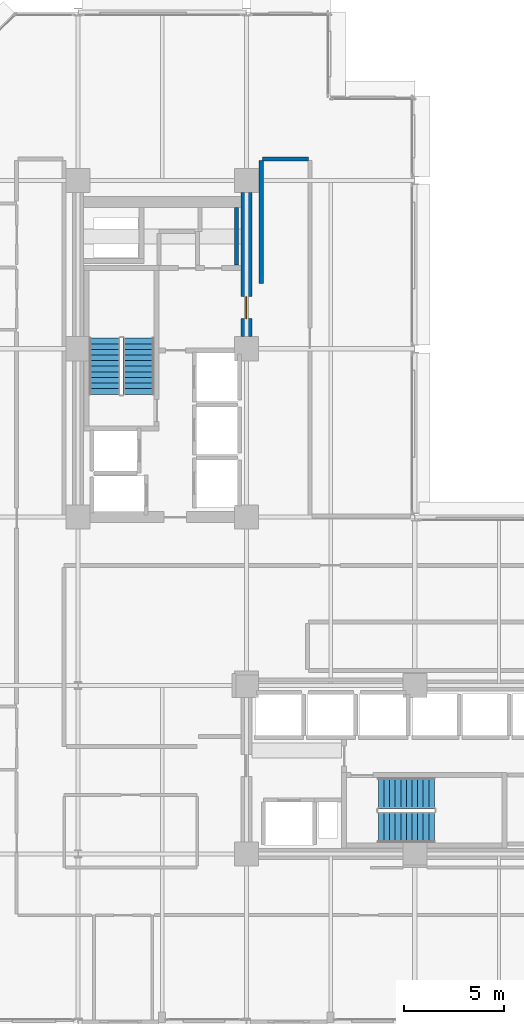
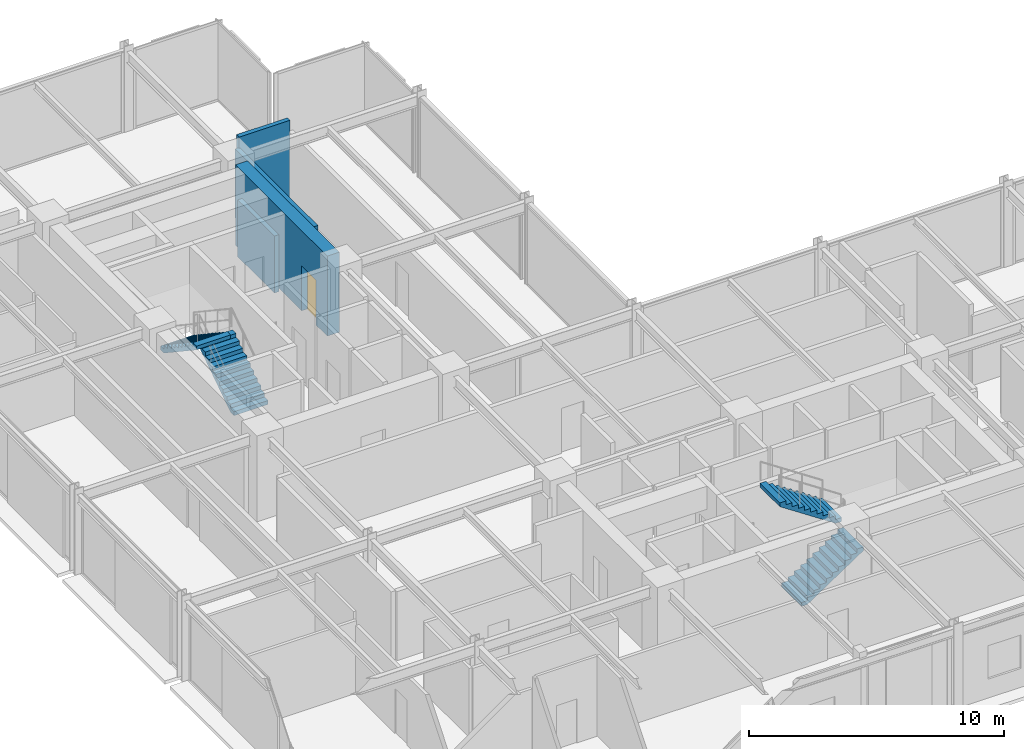
# One storey, part 35 of 39: 4 stair flights, 4 walls, 1 door, 1 opening, 2 elements without a shape of their own.
"""IFC4 building model written with IfcOpenShell, lengths in metres."""

import ifcopenshell
import ifcopenshell.guid

model = None  # the IFC model being written
_history = None  # IfcOwnerHistory: only IFC2X3 demands one
_inside = {}  # id of a spatial element -> (the spatial element, [elements in it])
_under = {}  # id of a project, library or spatial element -> (it, [spatial elements below it])
_declared = {}  # id of a project -> (the project, [libraries it declares])
_typed = {}  # id of a type object -> (the type object, [elements of that type])
_made_of = {}  # id of a material, layer set ... -> (it, [elements and type objects made of it])


def new_model(schema):
    """Start an empty IFC model of exactly this schema.

    Asked for "IFC4X3", IfcOpenShell would pick the latest addendum, in which some entities
    have other attributes; the version numbers below select the first issue.
    IFC2X3 requires an IfcOwnerHistory on every rooted entity: one is made here for all.
    """
    global model, _history
    if schema == "IFC4X3":
        model = ifcopenshell.file(schema_version=(4, 3, 0, 0))
    else:
        model = ifcopenshell.file(schema=schema)
    _inside.clear()
    _under.clear()
    _declared.clear()
    _typed.clear()
    _made_of.clear()
    _history = None
    if model.schema == "IFC2X3":
        org = make("IfcOrganization", Name="unknown")
        user = make(
            "IfcPersonAndOrganization",
            ThePerson=make("IfcPerson", FamilyName="unknown"),
            TheOrganization=org,
        )
        app = make(
            "IfcApplication",
            ApplicationDeveloper=org,
            Version="unknown",
            ApplicationFullName="unknown",
            ApplicationIdentifier="unknown",
        )
        _history = make(
            "IfcOwnerHistory",
            OwningUser=user,
            OwningApplication=app,
            ChangeAction="ADDED",
            CreationDate=0,
        )
    return model


def make(cls, **values):
    """One entity of the class cls with the attributes given. An attribute that is None is left unset."""
    return model.create_entity(
        cls, **{name: value for name, value in values.items() if value is not None}
    )


def rooted(cls, **values):
    """An entity with a GlobalId (a new one), such as an element, a storey or a relation."""
    return make(cls, GlobalId=ifcopenshell.guid.new(), OwnerHistory=_history, **values)


def si_unit(unit_type, name, prefix=None):
    """IfcSIUnit, for example si_unit("LENGTHUNIT", "METRE", prefix="MILLI")."""
    return make("IfcSIUnit", UnitType=unit_type, Prefix=prefix, Name=name)


def assignment(units):
    """IfcUnitAssignment: the units of a project."""
    return None if units is None else make("IfcUnitAssignment", Units=units)


def point(xyz):
    """IfcCartesianPoint."""
    return None if xyz is None else make("IfcCartesianPoint", Coordinates=xyz)


def direction(xyz):
    """IfcDirection."""
    return None if xyz is None else make("IfcDirection", DirectionRatios=xyz)


def frame(location, z_axis=None, x_axis=None):
    """IfcAxis2Placement3D, a coordinate frame: its origin and axes. An axis left out is left unset."""
    return make(
        "IfcAxis2Placement3D",
        Location=point(location),
        Axis=direction(z_axis),
        RefDirection=direction(x_axis),
    )


def frame_2d(location, x_axis=None):
    """IfcAxis2Placement2D, a coordinate frame in the plane: its origin and x axis."""
    return make(
        "IfcAxis2Placement2D", Location=point(location), RefDirection=direction(x_axis)
    )


def origin():
    """The frame at (0, 0, 0) with its axes left unset."""
    return frame((0.0, 0.0, 0.0))


def place(relative_to, where):
    """IfcLocalPlacement: puts the frame where relative to a parent placement (None: the world)."""
    return make(
        "IfcLocalPlacement", PlacementRelTo=relative_to, RelativePlacement=where
    )


def context(
    kind, dimensions, precision=None, world=None, true_north=None, identifier=None
):
    """IfcGeometricRepresentationContext, for example the 3D "Model" context."""
    return make(
        "IfcGeometricRepresentationContext",
        ContextIdentifier=identifier,
        ContextType=kind,
        CoordinateSpaceDimension=dimensions,
        Precision=precision,
        WorldCoordinateSystem=world,
        TrueNorth=true_north,
    )


def subcontext(parent, identifier, kind, view, scale=None):
    """IfcGeometricRepresentationSubContext, for example "Body" below "Model"."""
    return make(
        "IfcGeometricRepresentationSubContext",
        ContextIdentifier=identifier,
        ContextType=kind,
        ParentContext=parent,
        TargetScale=scale,
        TargetView=view,
    )


def project(units=None, contexts=None):
    """IfcProject with its units and contexts."""
    return rooted(
        "IfcProject",
        Name="project",
        RepresentationContexts=contexts,
        UnitsInContext=assignment(units),
    )


def spatial(cls, under=None, at=None, **own):
    """A site, building, storey or space (cls), placed at a placement, below another one or the project."""
    s = rooted(cls, ObjectPlacement=at, **own)
    if under is not None:
        _under.setdefault(under.id(), (under, []))[1].append(s)
    return s


def polyline(points):
    """IfcPolyline through the points."""
    return make("IfcPolyline", Points=[point(p) for p in points])


def profile(cls, at=None, kind="AREA", **sizes):
    """A parametric profile (cls). Its sizes go by their IFC names, for example OverallWidth=200.0."""
    return make(cls, ProfileType=kind, Position=at, **sizes)


def rectangle(**sizes):
    """IfcRectangleProfileDef."""
    return profile("IfcRectangleProfileDef", **sizes)


def outline(outer, holes=None, kind="AREA"):
    """IfcArbitraryClosedProfileDef: a profile drawn as a closed curve; with holes, ...WithVoids."""
    if holes is None:
        return make("IfcArbitraryClosedProfileDef", ProfileType=kind, OuterCurve=outer)
    return make(
        "IfcArbitraryProfileDefWithVoids",
        ProfileType=kind,
        OuterCurve=outer,
        InnerCurves=holes,
    )


def extrude(swept, where, along, depth):
    """IfcExtrudedAreaSolid: the profile swept, set in the frame where, extruded along a direction by depth."""
    return make(
        "IfcExtrudedAreaSolid",
        SweptArea=swept,
        Position=where,
        ExtrudedDirection=direction(along),
        Depth=depth,
    )


def shape(context_of_items, identifier, shape_type, items):
    """IfcShapeRepresentation: the items that make up one representation, for example the "Body"."""
    return make(
        "IfcShapeRepresentation",
        ContextOfItems=context_of_items,
        RepresentationIdentifier=identifier,
        RepresentationType=shape_type,
        Items=items,
    )


def material(Name=None, Category=None):
    """IfcMaterial."""
    return make("IfcMaterial", Name=Name, Category=Category)


def layer(
    of_material, thickness, ventilated=None, Name=None, Category=None, Priority=None
):
    """IfcMaterialLayer: one layer of a wall or slab, of a material (None: an air gap)."""
    return make(
        "IfcMaterialLayer",
        Material=of_material,
        LayerThickness=thickness,
        IsVentilated=ventilated,
        Name=Name,
        Category=Category,
        Priority=Priority,
    )


def layer_set(layers, Name=None):
    """IfcMaterialLayerSet."""
    return make("IfcMaterialLayerSet", MaterialLayers=layers, LayerSetName=Name)


def made_of(thing, what):
    """Note that an element or type object is made of a material, layer set ...; save() writes the relation."""
    if what is not None:
        _made_of.setdefault(what.id(), (what, []))[1].append(thing)
    return thing


def type_object(cls, material=None, **own):
    """A type object (cls), such as IfcWallType, which elements share."""
    return made_of(rooted(cls, **own), material)


def element(
    cls,
    number,
    at=None,
    inside=None,
    cuts=None,
    type_object=None,
    material=None,
    context=None,
    identifier="Body",
    shape_type=None,
    held_by="IfcProductDefinitionShape",
    body=None,
    shapes=None,
    **own,
):
    """One element of the class cls, such as IfcWall. Its Tag is "e" and its number.

    at: its placement. inside: the storey or other place that contains it. cuts: it is an
    opening in that element (IfcRelVoidsElement). A single representation is given by context,
    identifier, shape_type and body (its items); several are given by shapes. held_by: the class
    of the entity that holds the representations. save() writes the other relations.
    """
    e = rooted(cls, Tag="e%d" % number, ObjectPlacement=at, **own)
    if body is not None:
        shapes = [shape(context, identifier, shape_type, body)]
    if shapes is not None:
        e.Representation = make(held_by, Representations=shapes)
    if inside is not None:
        _inside.setdefault(inside.id(), (inside, []))[1].append(e)
    if cuts is not None:
        rooted(
            "IfcRelVoidsElement", RelatingBuildingElement=cuts, RelatedOpeningElement=e
        )
    if type_object is not None:
        _typed.setdefault(type_object.id(), (type_object, []))[1].append(e)
    return made_of(e, material)


def fill(opening, filler):
    """IfcRelFillsElement: the door or window that sits in an opening."""
    return rooted(
        "IfcRelFillsElement",
        RelatingOpeningElement=opening,
        RelatedBuildingElement=filler,
    )


def aggregate(whole, parts):
    """IfcRelAggregates: a whole, such as a stair, and the parts it consists of."""
    return rooted("IfcRelAggregates", RelatingObject=whole, RelatedObjects=parts)


def save(model, path):
    """Write the relations noted so far, then the file.

    IfcRelAggregates (storeys below a building ...), IfcRelContainedInSpatialStructure (elements
    in a storey), IfcRelDefinesByType, IfcRelAssociatesMaterial and IfcRelDeclares: one each for
    every whole, place, type object, material and project.
    """
    for whole, parts in _under.values():
        aggregate(whole, parts)
    for where, things in _inside.values():
        rooted(
            "IfcRelContainedInSpatialStructure",
            RelatedElements=things,
            RelatingStructure=where,
        )
    for kind, things in _typed.values():
        rooted("IfcRelDefinesByType", RelatedObjects=things, RelatingType=kind)
    for what, things in _made_of.values():
        rooted("IfcRelAssociatesMaterial", RelatedObjects=things, RelatingMaterial=what)
    for by, libraries in _declared.values():
        rooted("IfcRelDeclares", RelatingContext=by, RelatedDefinitions=libraries)
    model.write(path)


model = new_model("IFC4")

# Units and contexts
model_context = context("Model", 3, precision=1e-05, world=origin(), true_north=direction((0.0, 1.0)))
body_context = subcontext(model_context, "Body", "Model", "MODEL_VIEW")
ifc_project = project(units=[si_unit("LENGTHUNIT", "METRE"), si_unit("AREAUNIT", "SQUARE_METRE"), si_unit("VOLUMEUNIT", "CUBIC_METRE"), si_unit("PLANEANGLEUNIT", "RADIAN"), si_unit("MASSUNIT", "GRAM", prefix="KILO")], contexts=[model_context])

# Site, building, storey
site_placement = place(None, origin())
site = spatial("IfcSite", under=ifc_project, at=site_placement, CompositionType="ELEMENT")
building_placement = place(site_placement, origin())
building = spatial("IfcBuilding", under=site, at=building_placement, Name="Nerrivon Quay Data Exchange", CompositionType="ELEMENT")
storey_placement = place(building_placement, frame((0.0, 0.0, 104.89990234375)))
storey = spatial("IfcBuildingStorey", under=building, at=storey_placement, Name="L24", CompositionType="ELEMENT", Elevation=104.89990234375)

# Wall, opening, door
ifc_material_1 = material(Name="Concrete S65 (65 MPa)", Category="concrete")
ifc_layer_1 = layer(ifc_material_1, 0.550048828125)
ifc_layer_set_1 = layer_set([ifc_layer_1], Name="Concrete S65 (65 MPa)")
wall_type_1 = type_object("IfcWallType", Name="WALL-CW-700", PredefinedType="SHEAR", material=ifc_layer_set_1)
wall_1_placement = place(storey_placement, frame((16.800048828125, 34.199951171875, 0.0), z_axis=(0.0, 0.0, 1.0), x_axis=(0.0, 1.0, 0.0)))
wall_1 = element("IfcWall", 1, at=wall_1_placement, inside=storey, type_object=wall_type_1, Name="L24 West Split-Core Shear Wall WCW-E1", PredefinedType="SHEAR", context=body_context, shape_type="SweptSolid", body=[
    extrude(rectangle(XDim=7.199951171875, YDim=0.550048828125, at=frame_2d((3.60009765625, 0.0))), origin(), (0.0, 0.0, 1.0), 3.8251953125),
])
opening_placement = place(wall_1_placement, frame((0.89990234375, 0.0, 0.0)))
opening = element("IfcOpeningElement", 2, at=opening_placement, cuts=wall_1, Name="Opening FD-120", PredefinedType="OPENING", context=body_context, shape_type="SweptSolid", body=[
    extrude(rectangle(XDim=1.10009765625, YDim=2.14990234375, at=frame_2d((0.550048828125, 1.074951171875))), frame((0.0, 0.284912109375, 0.0), z_axis=(0.0, -1.0, 0.0), x_axis=(1.0, 0.0, 0.0)), (0.0, 0.0, 1.0), 0.570068359375),
])
ifc_material_2 = material(Name="Powder-coated galvanized steel sheet", Category="steel")
door_type = type_object("IfcDoorType", Name="DR-FD120-1100", OperationType="NOTDEFINED", PredefinedType="DOOR", material=ifc_material_2)
door_placement = place(opening_placement, origin())
door = element("IfcDoor", 3, at=door_placement, inside=storey, type_object=door_type, Name="L24 West Core Lobby Fire Door", OperationType="SINGLE_SWING_LEFT", OverallHeight=2.14990234375, OverallWidth=1.10009765625, PredefinedType="DOOR", context=body_context, shape_type="SweptSolid", body=[
    extrude(rectangle(XDim=1.10009765625, YDim=2.14990234375, at=frame_2d((0.550048828125, 1.074951171875))), frame((0.0, 0.02490234375, 0.0), z_axis=(0.0, -1.0, 0.0), x_axis=(1.0, 0.0, 0.0)), (0.0, 0.0, 1.0), 0.050048828125),
])
fill(opening, door)

# Walls
ifc_material_3 = material(Name="Gypsum plasterboard on cold-formed framing", Category="gypsum")
ifc_layer_2 = layer(ifc_material_3, 0.199951171875)
ifc_layer_set_2 = layer_set([ifc_layer_2], Name="Gypsum plasterboard on cold-formed framing")
wall_type_2 = type_object("IfcWallType", Name="WALL-FW-200", PredefinedType="PARTITIONING", material=ifc_layer_set_2)
wall_2_placement = place(storey_placement, frame((16.300048828125, 37.780029296875, 0.0), z_axis=(0.0, 0.0, 1.0), x_axis=(0.0, 1.0, 0.0)))
element("IfcWall", 4, at=wall_2_placement, inside=storey, type_object=wall_type_2, Name="L24 Partition Cleaners Store", PredefinedType="PARTITIONING", context=body_context, shape_type="SweptSolid", body=[
    extrude(rectangle(XDim=2.865966796875, YDim=0.199951171875, at=frame_2d((1.43310546875, 0.0))), origin(), (0.0, 0.0, 1.0), 2.72509765625),
])
wall_3_placement = place(storey_placement, frame((17.5400390625, 36.860107421875, 0.0), z_axis=(0.0, 0.0, 1.0), x_axis=(0.0, 1.0, 0.0)))
element("IfcWall", 5, at=wall_3_placement, inside=storey, type_object=wall_type_2, Name="L24 Partition Colocation Data Workspace 7", PredefinedType="PARTITIONING", context=body_context, shape_type="SweptSolid", body=[
    extrude(rectangle(XDim=6.139892578125, YDim=0.199951171875, at=frame_2d((3.06982421875, 0.0))), origin(), (0.0, 0.0, 1.0), 3.2919921875),
])
wall_4_placement = place(storey_placement, frame((17.60009765625, 43.06005859375, 0.0), z_axis=(0.0, 0.0, 1.0), x_axis=(1.0, 0.0, 0.0)))
element("IfcWall", 6, at=wall_4_placement, inside=storey, type_object=wall_type_2, Name="L24 Partition Colocation Data Workspace 7", PredefinedType="PARTITIONING", context=body_context, shape_type="SweptSolid", body=[
    extrude(rectangle(XDim=2.2998046875, YDim=0.199951171875, at=frame_2d((1.14990234375, 0.0))), origin(), (0.0, 0.0, 1.0), 3.8251953125),
])

# Stair, stair flights
ifc_material_4 = material(Name="Concrete N50 (50 MPa)", Category="concrete")
stair_type = type_object("IfcStairType", Name="STAIR-DOG-41", PredefinedType="HALF_TURN_STAIR", material=ifc_material_4)
stair_1_placement = place(storey_placement, origin())
stair_1 = element("IfcStair", 7, at=stair_1_placement, inside=storey, type_object=stair_type, Name="L24 West Core Fire Stair ST01", PredefinedType="HALF_TURN_STAIR")
stair_flight_type = type_object("IfcStairFlightType", Name="FLIGHT-DOG-41", PredefinedType="STRAIGHT", material=ifc_material_4)
stair_flight_1_placement = place(storey_placement, frame((11.425048828125, 31.330078125, 0.0), z_axis=(0.0, 0.0, 1.0), x_axis=(0.0, 1.0, 0.0)))
stair_flight_1 = element("IfcStairFlight", 8, at=stair_flight_1_placement, type_object=stair_flight_type, Name="ST01 flight 1", NumberOfRisers=11, NumberOfTreads=10, PredefinedType="STRAIGHT", RiserHeight=0.186363636, TreadLength=0.28, context=body_context, shape_type="SweptSolid", body=[
    extrude(outline(polyline([(0.0, 0.0), (0.0, 0.186279296875), (0.280029296875, 0.186279296875), (0.280029296875, 0.372802734375), (0.56005859375, 0.372802734375), (0.56005859375, 0.55908203125), (0.840087890625, 0.55908203125), (0.840087890625, 0.745361328125), (1.1201171875, 0.745361328125), (1.1201171875, 0.931884765625), (1.39990234375, 0.931884765625), (1.39990234375, 1.1181640625), (1.679931640625, 1.1181640625), (1.679931640625, 1.304443359375), (1.9599609375, 1.304443359375), (1.9599609375, 1.490966796875), (2.239990234375, 1.490966796875), (2.239990234375, 1.67724609375), (2.52001953125, 1.67724609375), (2.52001953125, 1.863525390625), (2.800048828125, 1.863525390625), (2.800048828125, 2.050048828125), (2.800048828125, 1.68359375), (0.2705078125, 0.0), (0.0, 0.0)])), frame((0.0, 0.77490234375, 0.0), z_axis=(0.0, -1.0, 0.0), x_axis=(1.0, 0.0, 0.0)), (0.0, 0.0, 1.0), 1.550048828125),
])
stair_flight_2_placement = place(storey_placement, frame((9.72509765625, 34.1298828125, 2.050048828125), z_axis=(0.0, 0.0, 1.0), x_axis=(0.0, -1.0, 0.0)))
stair_flight_2 = element("IfcStairFlight", 9, at=stair_flight_2_placement, type_object=stair_flight_type, Name="ST01 flight 2", NumberOfRisers=11, NumberOfTreads=10, PredefinedType="STRAIGHT", RiserHeight=0.186363636, TreadLength=0.28, context=body_context, shape_type="SweptSolid", body=[
    extrude(outline(polyline([(0.0, 0.0), (0.0, 0.186279296875), (0.280029296875, 0.186279296875), (0.280029296875, 0.372802734375), (0.56005859375, 0.372802734375), (0.56005859375, 0.55908203125), (0.840087890625, 0.55908203125), (0.840087890625, 0.745361328125), (1.1201171875, 0.745361328125), (1.1201171875, 0.931884765625), (1.39990234375, 0.931884765625), (1.39990234375, 1.1181640625), (1.679931640625, 1.1181640625), (1.679931640625, 1.304443359375), (1.9599609375, 1.304443359375), (1.9599609375, 1.490966796875), (2.239990234375, 1.490966796875), (2.239990234375, 1.67724609375), (2.52001953125, 1.67724609375), (2.52001953125, 1.863525390625), (2.800048828125, 1.863525390625), (2.800048828125, 2.050048828125), (2.800048828125, 1.68359375), (0.2705078125, 0.0), (0.0, 0.0)])), frame((0.0, 0.77490234375, 0.0), z_axis=(0.0, -1.0, 0.0), x_axis=(1.0, 0.0, 0.0)), (0.0, 0.0, 1.0), 1.550048828125),
])
aggregate(stair_1, [stair_flight_1, stair_flight_2])

stair_2_placement = place(storey_placement, origin())
stair_2 = element("IfcStair", 10, at=stair_2_placement, inside=storey, type_object=stair_type, Name="L24 East Core Fire Stair ST02", PredefinedType="HALF_TURN_STAIR")
stair_flight_3_placement = place(storey_placement, frame((23.3798828125, 9.72509765625, 0.0), z_axis=(0.0, 0.0, 1.0), x_axis=(1.0, 0.0, 0.0)))
stair_flight_3 = element("IfcStairFlight", 11, at=stair_flight_3_placement, type_object=stair_flight_type, Name="ST02 flight 1", NumberOfRisers=11, NumberOfTreads=10, PredefinedType="STRAIGHT", RiserHeight=0.186363636, TreadLength=0.28, context=body_context, shape_type="SweptSolid", body=[
    extrude(outline(polyline([(0.0, 0.0), (0.0, 0.186279296875), (0.280029296875, 0.186279296875), (0.280029296875, 0.372802734375), (0.56005859375, 0.372802734375), (0.56005859375, 0.55908203125), (0.840087890625, 0.55908203125), (0.840087890625, 0.745361328125), (1.1201171875, 0.745361328125), (1.1201171875, 0.931884765625), (1.39990234375, 0.931884765625), (1.39990234375, 1.1181640625), (1.679931640625, 1.1181640625), (1.679931640625, 1.304443359375), (1.9599609375, 1.304443359375), (1.9599609375, 1.490966796875), (2.239990234375, 1.490966796875), (2.239990234375, 1.67724609375), (2.52001953125, 1.67724609375), (2.52001953125, 1.863525390625), (2.800048828125, 1.863525390625), (2.800048828125, 2.050048828125), (2.800048828125, 1.68359375), (0.2705078125, 0.0), (0.0, 0.0)])), frame((0.0, 0.77490234375, 0.0), z_axis=(0.0, -1.0, 0.0), x_axis=(1.0, 0.0, 0.0)), (0.0, 0.0, 1.0), 1.550048828125),
])
stair_flight_4_placement = place(storey_placement, frame((26.179931640625, 11.425048828125, 2.050048828125), z_axis=(0.0, 0.0, 1.0), x_axis=(-1.0, 0.0, 0.0)))
stair_flight_4 = element("IfcStairFlight", 12, at=stair_flight_4_placement, type_object=stair_flight_type, Name="ST02 flight 2", NumberOfRisers=11, NumberOfTreads=10, PredefinedType="STRAIGHT", RiserHeight=0.186363636, TreadLength=0.28, context=body_context, shape_type="SweptSolid", body=[
    extrude(outline(polyline([(0.0, 0.0), (0.0, 0.186279296875), (0.280029296875, 0.186279296875), (0.280029296875, 0.372802734375), (0.56005859375, 0.372802734375), (0.56005859375, 0.55908203125), (0.840087890625, 0.55908203125), (0.840087890625, 0.745361328125), (1.1201171875, 0.745361328125), (1.1201171875, 0.931884765625), (1.39990234375, 0.931884765625), (1.39990234375, 1.1181640625), (1.679931640625, 1.1181640625), (1.679931640625, 1.304443359375), (1.9599609375, 1.304443359375), (1.9599609375, 1.490966796875), (2.239990234375, 1.490966796875), (2.239990234375, 1.67724609375), (2.52001953125, 1.67724609375), (2.52001953125, 1.863525390625), (2.800048828125, 1.863525390625), (2.800048828125, 2.050048828125), (2.800048828125, 1.68359375), (0.2705078125, 0.0), (0.0, 0.0)])), frame((0.0, 0.77490234375, 0.0), z_axis=(0.0, -1.0, 0.0), x_axis=(1.0, 0.0, 0.0)), (0.0, 0.0, 1.0), 1.550048828125),
])
aggregate(stair_2, [stair_flight_3, stair_flight_4])

save(model, "model.ifc")
